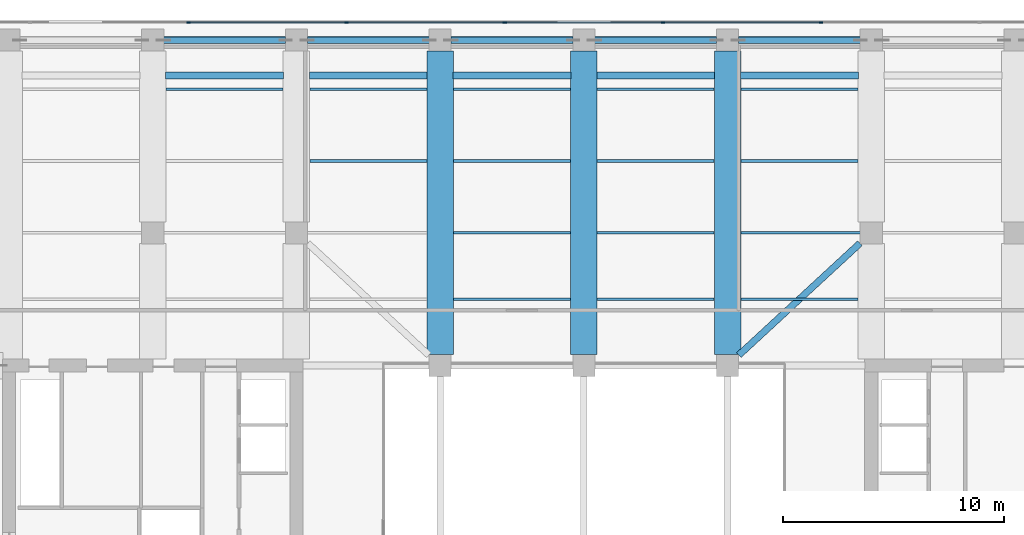
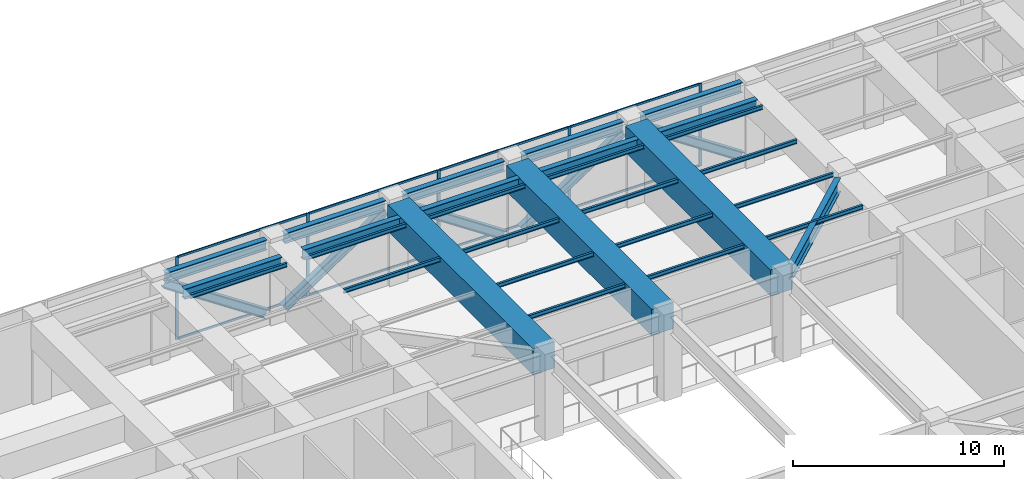
# One storey, part 9 of 28: 29 beams, 18 members, 1 element without a shape of its own.
"""IFC4 building model written with IfcOpenShell, lengths in metres."""

import ifcopenshell
import ifcopenshell.guid

model = None  # the IFC model being written
_history = None  # IfcOwnerHistory: only IFC2X3 demands one
_inside = {}  # id of a spatial element -> (the spatial element, [elements in it])
_under = {}  # id of a project, library or spatial element -> (it, [spatial elements below it])
_declared = {}  # id of a project -> (the project, [libraries it declares])
_typed = {}  # id of a type object -> (the type object, [elements of that type])
_made_of = {}  # id of a material, layer set ... -> (it, [elements and type objects made of it])


def new_model(schema):
    """Start an empty IFC model of exactly this schema.

    Asked for "IFC4X3", IfcOpenShell would pick the latest addendum, in which some entities
    have other attributes; the version numbers below select the first issue.
    IFC2X3 requires an IfcOwnerHistory on every rooted entity: one is made here for all.
    """
    global model, _history
    if schema == "IFC4X3":
        model = ifcopenshell.file(schema_version=(4, 3, 0, 0))
    else:
        model = ifcopenshell.file(schema=schema)
    _inside.clear()
    _under.clear()
    _declared.clear()
    _typed.clear()
    _made_of.clear()
    _history = None
    if model.schema == "IFC2X3":
        org = make("IfcOrganization", Name="unknown")
        user = make(
            "IfcPersonAndOrganization",
            ThePerson=make("IfcPerson", FamilyName="unknown"),
            TheOrganization=org,
        )
        app = make(
            "IfcApplication",
            ApplicationDeveloper=org,
            Version="unknown",
            ApplicationFullName="unknown",
            ApplicationIdentifier="unknown",
        )
        _history = make(
            "IfcOwnerHistory",
            OwningUser=user,
            OwningApplication=app,
            ChangeAction="ADDED",
            CreationDate=0,
        )
    return model


def make(cls, **values):
    """One entity of the class cls with the attributes given. An attribute that is None is left unset."""
    return model.create_entity(
        cls, **{name: value for name, value in values.items() if value is not None}
    )


def rooted(cls, **values):
    """An entity with a GlobalId (a new one), such as an element, a storey or a relation."""
    return make(cls, GlobalId=ifcopenshell.guid.new(), OwnerHistory=_history, **values)


def si_unit(unit_type, name, prefix=None):
    """IfcSIUnit, for example si_unit("LENGTHUNIT", "METRE", prefix="MILLI")."""
    return make("IfcSIUnit", UnitType=unit_type, Prefix=prefix, Name=name)


def assignment(units):
    """IfcUnitAssignment: the units of a project."""
    return None if units is None else make("IfcUnitAssignment", Units=units)


def point(xyz):
    """IfcCartesianPoint."""
    return None if xyz is None else make("IfcCartesianPoint", Coordinates=xyz)


def direction(xyz):
    """IfcDirection."""
    return None if xyz is None else make("IfcDirection", DirectionRatios=xyz)


def frame(location, z_axis=None, x_axis=None):
    """IfcAxis2Placement3D, a coordinate frame: its origin and axes. An axis left out is left unset."""
    return make(
        "IfcAxis2Placement3D",
        Location=point(location),
        Axis=direction(z_axis),
        RefDirection=direction(x_axis),
    )


def frame_2d(location, x_axis=None):
    """IfcAxis2Placement2D, a coordinate frame in the plane: its origin and x axis."""
    return make(
        "IfcAxis2Placement2D", Location=point(location), RefDirection=direction(x_axis)
    )


def origin():
    """The frame at (0, 0, 0) with its axes left unset."""
    return frame((0.0, 0.0, 0.0))


def origin_2d():
    """The frame at (0, 0) in the plane with its x axis left unset."""
    return frame_2d((0.0, 0.0))


def place(relative_to, where):
    """IfcLocalPlacement: puts the frame where relative to a parent placement (None: the world)."""
    return make(
        "IfcLocalPlacement", PlacementRelTo=relative_to, RelativePlacement=where
    )


def context(
    kind, dimensions, precision=None, world=None, true_north=None, identifier=None
):
    """IfcGeometricRepresentationContext, for example the 3D "Model" context."""
    return make(
        "IfcGeometricRepresentationContext",
        ContextIdentifier=identifier,
        ContextType=kind,
        CoordinateSpaceDimension=dimensions,
        Precision=precision,
        WorldCoordinateSystem=world,
        TrueNorth=true_north,
    )


def subcontext(parent, identifier, kind, view, scale=None):
    """IfcGeometricRepresentationSubContext, for example "Body" below "Model"."""
    return make(
        "IfcGeometricRepresentationSubContext",
        ContextIdentifier=identifier,
        ContextType=kind,
        ParentContext=parent,
        TargetScale=scale,
        TargetView=view,
    )


def project(units=None, contexts=None):
    """IfcProject with its units and contexts."""
    return rooted(
        "IfcProject",
        Name="project",
        RepresentationContexts=contexts,
        UnitsInContext=assignment(units),
    )


def spatial(cls, under=None, at=None, **own):
    """A site, building, storey or space (cls), placed at a placement, below another one or the project."""
    s = rooted(cls, ObjectPlacement=at, **own)
    if under is not None:
        _under.setdefault(under.id(), (under, []))[1].append(s)
    return s


def profile(cls, at=None, kind="AREA", **sizes):
    """A parametric profile (cls). Its sizes go by their IFC names, for example OverallWidth=200.0."""
    return make(cls, ProfileType=kind, Position=at, **sizes)


def rectangle(**sizes):
    """IfcRectangleProfileDef."""
    return profile("IfcRectangleProfileDef", **sizes)


def i_section(**sizes):
    """IfcIShapeProfileDef."""
    return profile("IfcIShapeProfileDef", **sizes)


def extrude(swept, where, along, depth):
    """IfcExtrudedAreaSolid: the profile swept, set in the frame where, extruded along a direction by depth."""
    return make(
        "IfcExtrudedAreaSolid",
        SweptArea=swept,
        Position=where,
        ExtrudedDirection=direction(along),
        Depth=depth,
    )


def shape(context_of_items, identifier, shape_type, items):
    """IfcShapeRepresentation: the items that make up one representation, for example the "Body"."""
    return make(
        "IfcShapeRepresentation",
        ContextOfItems=context_of_items,
        RepresentationIdentifier=identifier,
        RepresentationType=shape_type,
        Items=items,
    )


def material(Name=None, Category=None):
    """IfcMaterial."""
    return make("IfcMaterial", Name=Name, Category=Category)


def layer(
    of_material, thickness, ventilated=None, Name=None, Category=None, Priority=None
):
    """IfcMaterialLayer: one layer of a wall or slab, of a material (None: an air gap)."""
    return make(
        "IfcMaterialLayer",
        Material=of_material,
        LayerThickness=thickness,
        IsVentilated=ventilated,
        Name=Name,
        Category=Category,
        Priority=Priority,
    )


def layer_set(layers, Name=None):
    """IfcMaterialLayerSet."""
    return make("IfcMaterialLayerSet", MaterialLayers=layers, LayerSetName=Name)


def material_profile(
    of_material, cross_section, Name=None, Category=None, Priority=None
):
    """IfcMaterialProfile: a cross section and its material."""
    return make(
        "IfcMaterialProfile",
        Name=Name,
        Material=of_material,
        Profile=cross_section,
        Priority=Priority,
        Category=Category,
    )


def profile_set(profiles, Name=None, composite=None):
    """IfcMaterialProfileSet."""
    return make(
        "IfcMaterialProfileSet",
        Name=Name,
        MaterialProfiles=profiles,
        CompositeProfile=composite,
    )


def made_of(thing, what):
    """Note that an element or type object is made of a material, layer set ...; save() writes the relation."""
    if what is not None:
        _made_of.setdefault(what.id(), (what, []))[1].append(thing)
    return thing


def type_object(cls, material=None, **own):
    """A type object (cls), such as IfcWallType, which elements share."""
    return made_of(rooted(cls, **own), material)


def element(
    cls,
    number,
    at=None,
    inside=None,
    cuts=None,
    type_object=None,
    material=None,
    context=None,
    identifier="Body",
    shape_type=None,
    held_by="IfcProductDefinitionShape",
    body=None,
    shapes=None,
    **own,
):
    """One element of the class cls, such as IfcWall. Its Tag is "e" and its number.

    at: its placement. inside: the storey or other place that contains it. cuts: it is an
    opening in that element (IfcRelVoidsElement). A single representation is given by context,
    identifier, shape_type and body (its items); several are given by shapes. held_by: the class
    of the entity that holds the representations. save() writes the other relations.
    """
    e = rooted(cls, Tag="e%d" % number, ObjectPlacement=at, **own)
    if body is not None:
        shapes = [shape(context, identifier, shape_type, body)]
    if shapes is not None:
        e.Representation = make(held_by, Representations=shapes)
    if inside is not None:
        _inside.setdefault(inside.id(), (inside, []))[1].append(e)
    if cuts is not None:
        rooted(
            "IfcRelVoidsElement", RelatingBuildingElement=cuts, RelatedOpeningElement=e
        )
    if type_object is not None:
        _typed.setdefault(type_object.id(), (type_object, []))[1].append(e)
    return made_of(e, material)


def aggregate(whole, parts):
    """IfcRelAggregates: a whole, such as a stair, and the parts it consists of."""
    return rooted("IfcRelAggregates", RelatingObject=whole, RelatedObjects=parts)


def save(model, path):
    """Write the relations noted so far, then the file.

    IfcRelAggregates (storeys below a building ...), IfcRelContainedInSpatialStructure (elements
    in a storey), IfcRelDefinesByType, IfcRelAssociatesMaterial and IfcRelDeclares: one each for
    every whole, place, type object, material and project.
    """
    for whole, parts in _under.values():
        aggregate(whole, parts)
    for where, things in _inside.values():
        rooted(
            "IfcRelContainedInSpatialStructure",
            RelatedElements=things,
            RelatingStructure=where,
        )
    for kind, things in _typed.values():
        rooted("IfcRelDefinesByType", RelatedObjects=things, RelatingType=kind)
    for what, things in _made_of.values():
        rooted("IfcRelAssociatesMaterial", RelatedObjects=things, RelatingMaterial=what)
    for by, libraries in _declared.values():
        rooted("IfcRelDeclares", RelatingContext=by, RelatedDefinitions=libraries)
    model.write(path)


model = new_model("IFC4")

# Units and contexts
model_context = context("Model", 3, precision=1e-05, world=origin(), true_north=direction((0.0, 1.0)))
body_context = subcontext(model_context, "Body", "Model", "MODEL_VIEW")
ifc_project = project(units=[si_unit("LENGTHUNIT", "METRE"), si_unit("AREAUNIT", "SQUARE_METRE"), si_unit("VOLUMEUNIT", "CUBIC_METRE"), si_unit("PLANEANGLEUNIT", "RADIAN"), si_unit("MASSUNIT", "GRAM", prefix="KILO")], contexts=[model_context])

# Site, building, storey
site_placement = place(None, origin())
site = spatial("IfcSite", under=ifc_project, at=site_placement, CompositionType="ELEMENT")
building_placement = place(site_placement, origin())
building = spatial("IfcBuilding", under=site, at=building_placement, Name="Putna Gate Headquarters", CompositionType="ELEMENT")
storey_placement = place(building_placement, frame((0.0, 0.0, 197.39990234375)))
storey = spatial("IfcBuildingStorey", under=building, at=storey_placement, Name="L49", CompositionType="ELEMENT", Elevation=197.39990234375)

# Beams
ifc_material_1 = material(Name="Steel S355J2", Category="steel")
ifc_material_profile_1 = material_profile(ifc_material_1, i_section(OverallWidth=0.300048828125, OverallDepth=0.800048828125, WebThickness=0.017578125, FlangeThickness=0.032958984375, at=origin_2d()), Name="Steel S355J2")
ifc_profile_set_1 = profile_set([ifc_material_profile_1], Name="Steel S355J2")
beam_type_1 = type_object("IfcBeamType", Name="BM-GIRD-P-HEB800", PredefinedType="USERDEFINED", material=ifc_profile_set_1)
beam_1_placement = place(storey_placement, frame((51.489501953125, 38.52880859375, 4.380126953125), z_axis=(-0.734798423453, -0.678285542298, 0.0), x_axis=(0.678285542298, -0.734798423453, 0.0)))
element("IfcBeam", 1, at=beam_1_placement, inside=storey, type_object=beam_type_1, Name="L49 Core Flank Collector Tie Girder NE", ObjectType="GIRDER", PredefinedType="USERDEFINED", context=body_context, shape_type="SweptSolid", body=[
    extrude(i_section(OverallWidth=0.300048828125, OverallDepth=0.800048828125, WebThickness=0.017578125, FlangeThickness=0.032958984375, at=origin_2d()), origin(), (0.0, 0.0, 1.0), 7.45654296875),
])
ifc_material_profile_2 = material_profile(ifc_material_1, i_section(OverallWidth=0.1201171875, OverallDepth=0.239990234375, WebThickness=0.006103515625, FlangeThickness=0.009765625, at=origin_2d()), Name="Steel S355J2")
ifc_profile_set_2 = profile_set([ifc_material_profile_2], Name="Steel S355J2")
beam_type_2 = type_object("IfcBeamType", Name="BM-SEC-Z4-IPE240", PredefinedType="JOIST", material=ifc_profile_set_2)
for number, where, z_axis, x_axis, name in (
    (2, (20.10400390625, 45.5, 4.66015625), (1.0, 0.0, 0.0), (0.0, 1.0, 0.0), "L49 North Secondary Beam 2"),
    (3, (26.60400390625, 42.25, 4.66015625), (1.0, 0.0, 0.0), (0.0, 1.0, 0.0), "L49 North Secondary Beam 3"),
    (4, (26.60400390625, 45.5, 4.66015625), (1.0, 0.0, 0.0), (0.0, 1.0, 0.0), "L49 North Secondary Beam 3"),
    (5, (33.10400390625, 36.0, 4.66015625), (1.0, 0.0, 0.0), (0.0, 1.0, 0.0), "L49 North Secondary Beam 4"),
    (6, (33.10400390625, 39.0, 4.66015625), (1.0, 0.0, 0.0), (0.0, 1.0, 0.0), "L49 North Secondary Beam 4"),
    (7, (33.10400390625, 42.25, 4.66015625), (1.0, 0.0, 0.0), (0.0, 1.0, 0.0), "L49 North Secondary Beam 4"),
    (8, (33.10400390625, 45.5, 4.66015625), (1.0, 0.0, 0.0), (0.0, 1.0, 0.0), "L49 North Secondary Beam 4"),
    (9, (39.60400390625, 36.0, 4.66015625), (1.0, 0.0, 0.0), (0.0, 1.0, 0.0), "L49 North Secondary Beam 5"),
    (10, (39.60400390625, 39.0, 4.66015625), (1.0, 0.0, 0.0), (0.0, 1.0, 0.0), "L49 North Secondary Beam 5"),
    (11, (39.60400390625, 42.25, 4.66015625), (1.0, 0.0, 0.0), (0.0, 1.0, 0.0), "L49 North Secondary Beam 5"),
    (12, (39.60400390625, 45.5, 4.66015625), (1.0, 0.0, 0.0), (0.0, 1.0, 0.0), "L49 North Secondary Beam 5"),
    (13, (46.10400390625, 36.0, 4.66015625), (1.0, 0.0, 0.0), (0.0, 1.0, 0.0), "L49 North Secondary Beam 6"),
):
    element("IfcBeam", number, at=place(storey_placement, frame(where, z_axis=z_axis, x_axis=x_axis)), inside=storey, type_object=beam_type_2, Name=name, PredefinedType="JOIST", context=body_context, shape_type="SweptSolid", body=[
        extrude(i_section(OverallWidth=0.1201171875, OverallDepth=0.239990234375, WebThickness=0.006103515625, FlangeThickness=0.009765625, at=origin_2d()), origin(), (0.0, 0.0, 1.0), 5.2919921875),
    ])
beam_2_placement = place(storey_placement, frame((46.10400390625, 39.0, 4.66015625), z_axis=(1.0, 0.0, 0.0), x_axis=(0.0, 1.0, 0.0)))
element("IfcBeam", 14, at=beam_2_placement, inside=storey, type_object=beam_type_2, Name="L49 North Secondary Beam 6", PredefinedType="JOIST", context=body_context, shape_type="SweptSolid", body=[
    extrude(i_section(OverallWidth=0.1201171875, OverallDepth=0.239990234375, WebThickness=0.006103515625, FlangeThickness=0.009765625, at=origin_2d()), origin(), (0.0, 0.0, 1.0), 5.407958984375),
])
for number, where, z_axis, x_axis, name in (
    (15, (46.10400390625, 42.25, 4.66015625), (1.0, 0.0, 0.0), (0.0, 1.0, 0.0), "L49 North Secondary Beam 6"),
    (16, (46.10400390625, 45.5, 4.66015625), (1.0, 0.0, 0.0), (0.0, 1.0, 0.0), "L49 North Secondary Beam 6"),
):
    element("IfcBeam", number, at=place(storey_placement, frame(where, z_axis=z_axis, x_axis=x_axis)), inside=storey, type_object=beam_type_2, Name=name, PredefinedType="JOIST", context=body_context, shape_type="SweptSolid", body=[
        extrude(i_section(OverallWidth=0.1201171875, OverallDepth=0.239990234375, WebThickness=0.006103515625, FlangeThickness=0.009765625, at=origin_2d()), origin(), (0.0, 0.0, 1.0), 5.2919921875),
    ])
ifc_material_profile_3 = material_profile(ifc_material_1, i_section(OverallWidth=0.300048828125, OverallDepth=0.590087890625, WebThickness=0.012939453125, FlangeThickness=0.02490234375, at=origin_2d()), Name="Steel S355J2")
ifc_profile_set_3 = profile_set([ifc_material_profile_3], Name="Steel S355J2")
beam_type_3 = type_object("IfcBeamType", Name="BM-SPAN-Z4-HEA600", PredefinedType="SPANDREL", material=ifc_profile_set_3)
for number, where, z_axis, x_axis, name in (
    (17, (19.988037109375, 47.719970703125, 4.485107421875), (1.0, 0.0, 0.0), (0.0, 1.0, 0.0), "L49 N Perimeter Spandrel 2"),
    (18, (26.488037109375, 47.719970703125, 4.485107421875), (1.0, 0.0, 0.0), (0.0, 1.0, 0.0), "L49 N Perimeter Spandrel 3"),
    (19, (32.988037109375, 47.719970703125, 4.485107421875), (1.0, 0.0, 0.0), (0.0, 1.0, 0.0), "L49 N Perimeter Spandrel 4"),
    (20, (39.488037109375, 47.719970703125, 4.485107421875), (1.0, 0.0, 0.0), (0.0, 1.0, 0.0), "L49 N Perimeter Spandrel 5"),
    (21, (45.988037109375, 47.719970703125, 4.485107421875), (1.0, 0.0, 0.0), (0.0, 1.0, 0.0), "L49 N Perimeter Spandrel 6"),
):
    element("IfcBeam", number, at=place(storey_placement, frame(where, z_axis=z_axis, x_axis=x_axis)), inside=storey, type_object=beam_type_3, Name=name, PredefinedType="SPANDREL", context=body_context, shape_type="SweptSolid", body=[
        extrude(i_section(OverallWidth=0.300048828125, OverallDepth=0.590087890625, WebThickness=0.012939453125, FlangeThickness=0.02490234375, at=origin_2d()), origin(), (0.0, 0.0, 1.0), 5.52392578125),
    ])
for number, where, z_axis, x_axis, name in (
    (22, (20.0849609375, 46.1201171875, 4.485107421875), (1.0, 0.0, 0.0), (0.0, 1.0, 0.0), "L49 Setback Edge Beam N2"),
    (23, (26.5849609375, 46.1201171875, 4.485107421875), (1.0, 0.0, 0.0), (0.0, 1.0, 0.0), "L49 Setback Edge Beam N3"),
    (24, (33.0849609375, 46.1201171875, 4.485107421875), (1.0, 0.0, 0.0), (0.0, 1.0, 0.0), "L49 Setback Edge Beam N4"),
    (25, (39.5849609375, 46.1201171875, 4.485107421875), (1.0, 0.0, 0.0), (0.0, 1.0, 0.0), "L49 Setback Edge Beam N5"),
    (26, (46.0849609375, 46.1201171875, 4.485107421875), (1.0, 0.0, 0.0), (0.0, 1.0, 0.0), "L49 Setback Edge Beam N6"),
):
    element("IfcBeam", number, at=place(storey_placement, frame(where, z_axis=z_axis, x_axis=x_axis)), inside=storey, type_object=beam_type_3, Name=name, PredefinedType="SPANDREL", context=body_context, shape_type="SweptSolid", body=[
        extrude(i_section(OverallWidth=0.300048828125, OverallDepth=0.590087890625, WebThickness=0.012939453125, FlangeThickness=0.02490234375, at=origin_2d()), origin(), (0.0, 0.0, 1.0), 5.330078125),
    ])
ifc_material_2 = material(Name="Concrete C50/60", Category="concrete")
ifc_material_profile_4 = material_profile(ifc_material_2, rectangle(XDim=1.199951171875, YDim=1.52001953125, at=origin_2d()), Name="Concrete C50/60")
ifc_profile_set_4 = profile_set([ifc_material_profile_4], Name="Concrete C50/60")
beam_type_4 = type_object("IfcBeamType", Name="BM-TG-RC1520", PredefinedType="USERDEFINED", material=ifc_profile_set_4)
for number, where, z_axis, x_axis, name in (
    (27, (32.5, 33.488037109375, 4.02001953125), (0.0, 1.0, 0.0), (-1.0, 0.0, 0.0), "L49 North Primary Girder X32"),
    (28, (39.0, 33.488037109375, 4.02001953125), (0.0, 1.0, 0.0), (-1.0, 0.0, 0.0), "L49 North Primary Girder X39"),
    (29, (45.5, 33.488037109375, 4.02001953125), (0.0, 1.0, 0.0), (-1.0, 0.0, 0.0), "L49 North Primary Girder X45"),
):
    element("IfcBeam", number, at=place(storey_placement, frame(where, z_axis=z_axis, x_axis=x_axis)), inside=storey, type_object=beam_type_4, Name=name, ObjectType="GIRDER", PredefinedType="USERDEFINED", context=body_context, shape_type="SweptSolid", body=[
        extrude(rectangle(XDim=1.199951171875, YDim=1.52001953125, at=origin_2d()), origin(), (0.0, 0.0, 1.0), 13.743896484375),
    ])

# Members
ifc_material_3 = material(Name="Steel S460M", Category="steel")
ifc_material_profile_5 = material_profile(ifc_material_3, i_section(OverallWidth=0.306884765625, OverallDepth=0.47802734375, WebThickness=0.02099609375, FlangeThickness=0.0400390625, at=origin_2d()), Name="Steel S460M")
ifc_profile_set_5 = profile_set([ifc_material_profile_5], Name="Steel S460M")
member_type_1 = type_object("IfcMemberType", Name="MEM-BELT-DIAG-HEM450", PredefinedType="BRACE", material=ifc_profile_set_5)
for number, where, z_axis, x_axis, name in (
    (30, (19.985107421875, 47.719970703125, 4.130126953125), (0.832508038541, 0.0, -0.554012965339), (0.0, 1.0, 0.0), "L49 Belt Truss Diagonal N2"),
    (31, (26.485107421875, 47.719970703125, 0.4501953125), (0.832508038541, 0.0, 0.554012965339), (0.0, 1.0, 0.0), "L49 Belt Truss Diagonal N3"),
    (32, (32.985107421875, 47.719970703125, 4.130126953125), (0.832508038541, 0.0, -0.554012965339), (0.0, 1.0, 0.0), "L49 Belt Truss Diagonal N4"),
    (33, (39.485107421875, 47.719970703125, 0.4501953125), (0.832508038541, 0.0, 0.554012965339), (0.0, 1.0, 0.0), "L49 Belt Truss Diagonal N5"),
    (34, (45.985107421875, 47.719970703125, 4.130126953125), (0.832508038541, 0.0, -0.554012965339), (0.0, 1.0, 0.0), "L49 Belt Truss Diagonal N6"),
):
    element("IfcMember", number, at=place(storey_placement, frame(where, z_axis=z_axis, x_axis=x_axis)), inside=storey, type_object=member_type_1, Name=name, PredefinedType="BRACE", context=body_context, shape_type="SweptSolid", body=[
        extrude(i_section(OverallWidth=0.306884765625, OverallDepth=0.47802734375, WebThickness=0.02099609375, FlangeThickness=0.0400390625, at=origin_2d()), origin(), (0.0, 0.0, 1.0), 6.642333984375),
    ])

# Curtain wall, members
ifc_material_4 = material(Name="Anodised bronze aluminium curtain wall", Category="aluminium")
ifc_layer = layer(ifc_material_4, 0.159912109375)
ifc_layer_set = layer_set([ifc_layer], Name="Anodised bronze aluminium curtain wall")
curtain_wall_type = type_object("IfcCurtainWallType", Name="CW-SYS-CRN", PredefinedType="USERDEFINED", material=ifc_layer_set)
curtain_wall_placement = place(storey_placement, origin())
curtain_wall = element("IfcCurtainWall", 35, at=curtain_wall_placement, inside=storey, type_object=curtain_wall_type, Name="L49 Acoustic Louvre North Enclosure", ObjectType="STICK CURTAIN WALL", PredefinedType="USERDEFINED")
ifc_material_5 = material(Name="Anodised bronze aluminium EN AW-6060", Category="aluminium")
ifc_material_profile_6 = material_profile(ifc_material_5, rectangle(XDim=0.06494140625, YDim=0.159912109375, at=origin_2d()), Name="Anodised bronze aluminium EN AW-6060")
ifc_profile_set_6 = profile_set([ifc_material_profile_6], Name="Anodised bronze aluminium EN AW-6060")
member_type_2 = type_object("IfcMemberType", Name="MULL-CWM-CR", PredefinedType="MULLION", material=ifc_profile_set_6)
member_1_placement = place(storey_placement, frame((21.111083984375, 48.52001953125, 0.0), z_axis=(0.0, 0.0, 1.0), x_axis=(0.0, 1.0, 0.0)))
member_1 = element("IfcMember", 36, at=member_1_placement, type_object=member_type_2, Name="CWS-CR mullion 3", PredefinedType="MULLION", context=body_context, shape_type="SweptSolid", body=[
    extrude(rectangle(XDim=0.06494140625, YDim=0.159912109375, at=origin_2d()), origin(), (0.0, 0.0, 1.0), 4.780029296875),
])
member_2_placement = place(storey_placement, frame((28.2666015625, 48.52001953125, 0.0), z_axis=(0.0, 0.0, 1.0), x_axis=(0.0, 1.0, 0.0)))
member_2 = element("IfcMember", 37, at=member_2_placement, type_object=member_type_2, Name="CWS-CR mullion 4", PredefinedType="MULLION", context=body_context, shape_type="SweptSolid", body=[
    extrude(rectangle(XDim=0.06494140625, YDim=0.159912109375, at=origin_2d()), origin(), (0.0, 0.0, 1.0), 4.780029296875),
])
member_3_placement = place(storey_placement, frame((35.422119140625, 48.52001953125, 0.0), z_axis=(0.0, 0.0, 1.0), x_axis=(0.0, 1.0, 0.0)))
member_3 = element("IfcMember", 38, at=member_3_placement, type_object=member_type_2, Name="CWS-CR mullion 5", PredefinedType="MULLION", context=body_context, shape_type="SweptSolid", body=[
    extrude(rectangle(XDim=0.06494140625, YDim=0.159912109375, at=origin_2d()), origin(), (0.0, 0.0, 1.0), 4.780029296875),
])
member_4_placement = place(storey_placement, frame((42.577880859375, 48.52001953125, 0.0), z_axis=(0.0, 0.0, 1.0), x_axis=(0.0, 1.0, 0.0)))
member_4 = element("IfcMember", 39, at=member_4_placement, type_object=member_type_2, Name="CWS-CR mullion 6", PredefinedType="MULLION", context=body_context, shape_type="SweptSolid", body=[
    extrude(rectangle(XDim=0.06494140625, YDim=0.159912109375, at=origin_2d()), origin(), (0.0, 0.0, 1.0), 4.780029296875),
])
member_5_placement = place(storey_placement, frame((49.7333984375, 48.52001953125, 0.0), z_axis=(0.0, 0.0, 1.0), x_axis=(0.0, 1.0, 0.0)))
member_5 = element("IfcMember", 40, at=member_5_placement, type_object=member_type_2, Name="CWS-CR mullion 7", PredefinedType="MULLION", context=body_context, shape_type="SweptSolid", body=[
    extrude(rectangle(XDim=0.06494140625, YDim=0.159912109375, at=origin_2d()), origin(), (0.0, 0.0, 1.0), 4.780029296875),
])
ifc_material_profile_7 = material_profile(ifc_material_5, rectangle(XDim=0.06494140625, YDim=0.1201171875, at=origin_2d()), Name="Anodised bronze aluminium EN AW-6060")
ifc_profile_set_7 = profile_set([ifc_material_profile_7], Name="Anodised bronze aluminium EN AW-6060")
member_type_3 = type_object("IfcMemberType", Name="TRAN-CWT-CR", PredefinedType="USERDEFINED", material=ifc_profile_set_7)
member_6_placement = place(storey_placement, frame((21.1435546875, 48.52001953125, 0.03271484375), z_axis=(1.0, 0.0, 0.0), x_axis=(0.0, 1.0, 0.0)))
member_6 = element("IfcMember", 41, at=member_6_placement, type_object=member_type_3, Name="CWS-CR transom 3.1", ObjectType="TRANSOM", PredefinedType="USERDEFINED", context=body_context, shape_type="SweptSolid", body=[
    extrude(rectangle(XDim=0.06494140625, YDim=0.1201171875, at=origin_2d()), origin(), (0.0, 0.0, 1.0), 7.090576171875),
])
member_7_placement = place(storey_placement, frame((21.1435546875, 48.52001953125, 4.74755859375), z_axis=(1.0, 0.0, 0.0), x_axis=(0.0, 1.0, 0.0)))
member_7 = element("IfcMember", 42, at=member_7_placement, type_object=member_type_3, Name="CWS-CR transom 3.2", ObjectType="TRANSOM", PredefinedType="USERDEFINED", context=body_context, shape_type="SweptSolid", body=[
    extrude(rectangle(XDim=0.06494140625, YDim=0.1201171875, at=origin_2d()), origin(), (0.0, 0.0, 1.0), 7.090576171875),
])
member_8_placement = place(storey_placement, frame((28.299072265625, 48.52001953125, 0.03271484375), z_axis=(1.0, 0.0, 0.0), x_axis=(0.0, 1.0, 0.0)))
member_8 = element("IfcMember", 43, at=member_8_placement, type_object=member_type_3, Name="CWS-CR transom 4.1", ObjectType="TRANSOM", PredefinedType="USERDEFINED", context=body_context, shape_type="SweptSolid", body=[
    extrude(rectangle(XDim=0.06494140625, YDim=0.1201171875, at=origin_2d()), origin(), (0.0, 0.0, 1.0), 7.090576171875),
])
member_9_placement = place(storey_placement, frame((28.299072265625, 48.52001953125, 4.74755859375), z_axis=(1.0, 0.0, 0.0), x_axis=(0.0, 1.0, 0.0)))
member_9 = element("IfcMember", 44, at=member_9_placement, type_object=member_type_3, Name="CWS-CR transom 4.2", ObjectType="TRANSOM", PredefinedType="USERDEFINED", context=body_context, shape_type="SweptSolid", body=[
    extrude(rectangle(XDim=0.06494140625, YDim=0.1201171875, at=origin_2d()), origin(), (0.0, 0.0, 1.0), 7.090576171875),
])
member_10_placement = place(storey_placement, frame((35.454833984375, 48.52001953125, 0.03271484375), z_axis=(1.0, 0.0, 0.0), x_axis=(0.0, 1.0, 0.0)))
member_10 = element("IfcMember", 45, at=member_10_placement, type_object=member_type_3, Name="CWS-CR transom 5.1", ObjectType="TRANSOM", PredefinedType="USERDEFINED", context=body_context, shape_type="SweptSolid", body=[
    extrude(rectangle(XDim=0.06494140625, YDim=0.1201171875, at=origin_2d()), origin(), (0.0, 0.0, 1.0), 7.09033203125),
])
member_11_placement = place(storey_placement, frame((35.454833984375, 48.52001953125, 4.74755859375), z_axis=(1.0, 0.0, 0.0), x_axis=(0.0, 1.0, 0.0)))
member_11 = element("IfcMember", 46, at=member_11_placement, type_object=member_type_3, Name="CWS-CR transom 5.2", ObjectType="TRANSOM", PredefinedType="USERDEFINED", context=body_context, shape_type="SweptSolid", body=[
    extrude(rectangle(XDim=0.06494140625, YDim=0.1201171875, at=origin_2d()), origin(), (0.0, 0.0, 1.0), 7.09033203125),
])
member_12_placement = place(storey_placement, frame((42.6103515625, 48.52001953125, 0.03271484375), z_axis=(1.0, 0.0, 0.0), x_axis=(0.0, 1.0, 0.0)))
member_12 = element("IfcMember", 47, at=member_12_placement, type_object=member_type_3, Name="CWS-CR transom 6.1", ObjectType="TRANSOM", PredefinedType="USERDEFINED", context=body_context, shape_type="SweptSolid", body=[
    extrude(rectangle(XDim=0.06494140625, YDim=0.1201171875, at=origin_2d()), origin(), (0.0, 0.0, 1.0), 7.090576171875),
])
member_13_placement = place(storey_placement, frame((42.6103515625, 48.52001953125, 4.74755859375), z_axis=(1.0, 0.0, 0.0), x_axis=(0.0, 1.0, 0.0)))
member_13 = element("IfcMember", 48, at=member_13_placement, type_object=member_type_3, Name="CWS-CR transom 6.2", ObjectType="TRANSOM", PredefinedType="USERDEFINED", context=body_context, shape_type="SweptSolid", body=[
    extrude(rectangle(XDim=0.06494140625, YDim=0.1201171875, at=origin_2d()), origin(), (0.0, 0.0, 1.0), 7.090576171875),
])
aggregate(curtain_wall, [member_1, member_2, member_3, member_4, member_5, member_6, member_7, member_8, member_9, member_10, member_11, member_12, member_13])

save(model, "model.ifc")
